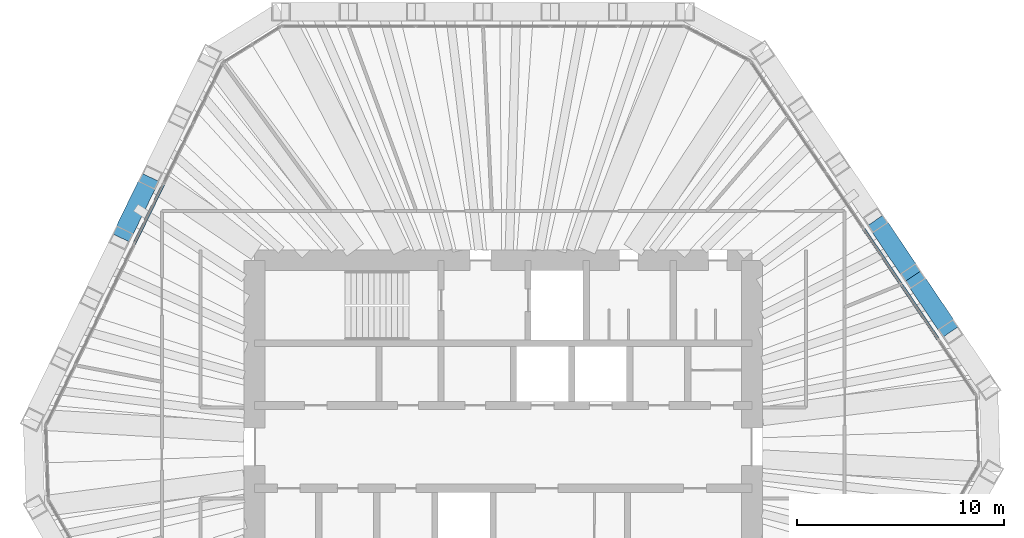
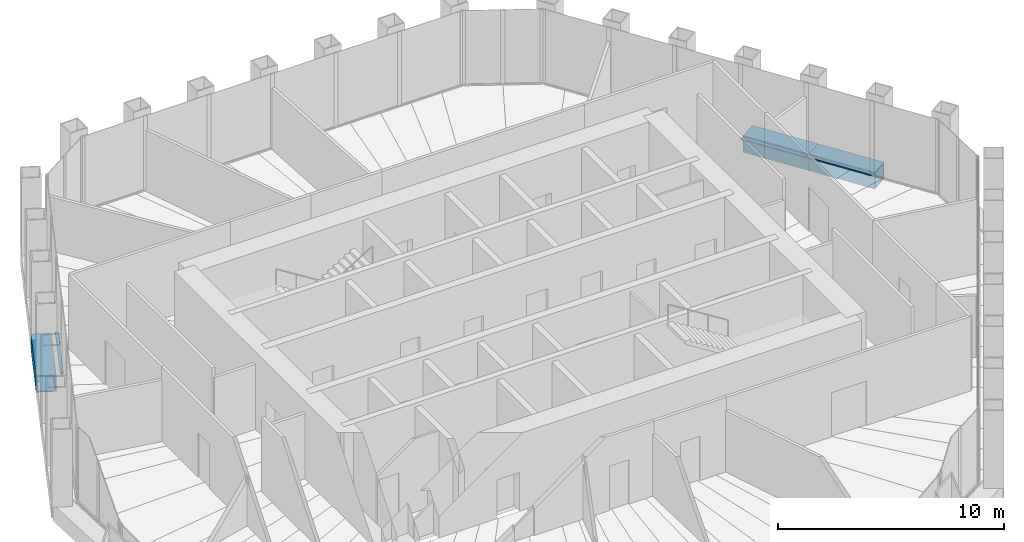
# One storey, part 6 of 14: 3 beams, 3 members, 2 elements without a shape of their own.
"""IFC4 building model written with IfcOpenShell, lengths in metres."""

from ifc_helpers import new_model, si_unit, direction, frame, origin, origin_2d, place, context, subcontext, project, spatial, rectangle, hollow_rectangle, extrude, material, material_profile, profile_set, type_object, element, aggregate, save


model = new_model("IFC4")

# Units and contexts
model_context = context("Model", 3, precision=1e-05, world=origin(), true_north=direction((0.0, 1.0)))
body_context = subcontext(model_context, "Body", "Model", "MODEL_VIEW")
ifc_project = project(units=[si_unit("LENGTHUNIT", "METRE"), si_unit("AREAUNIT", "SQUARE_METRE"), si_unit("VOLUMEUNIT", "CUBIC_METRE"), si_unit("PLANEANGLEUNIT", "RADIAN"), si_unit("MASSUNIT", "GRAM", prefix="KILO")], contexts=[model_context])

# Site, building, storey
site_placement = place(None, origin())
site = spatial("IfcSite", under=ifc_project, at=site_placement, CompositionType="ELEMENT")
building_placement = place(site_placement, origin())
building = spatial("IfcBuilding", under=site, at=building_placement, Name="Qingtian Harvest Tower", CompositionType="ELEMENT")
storey_placement = place(building_placement, frame((0.0, 0.0, 266.199951171875)))
storey = spatial("IfcBuildingStorey", under=building, at=storey_placement, Name="L58", CompositionType="ELEMENT", Elevation=266.199951171875)

# Beams
ifc_material_1 = material(Name="Steel SM570MC", Category="steel")
ifc_material_profile_1 = material_profile(ifc_material_1, hollow_rectangle(XDim=0.89990234375, YDim=0.89990234375, WallThickness=0.050048828125, at=origin_2d()), Name="BOX900x900x50")
ifc_profile_set_1 = profile_set([ifc_material_profile_1], Name="Steel SM570MC")
beam_type = type_object("IfcBeamType", Name="Transition spandrel SB6 BOX900x900x50", PredefinedType="SPANDREL", material=ifc_profile_set_1)
for number, where, z_axis, x_axis, name in (
    (1, (17.956787109375, 10.93212890625, -0.449951171875), (0.55915007887, -0.829066456504, 0.0), (0.829066456504, 0.55915007887, 0.0), "Spandrel SB6 NE3"),
    (2, (19.77294921875, 8.2392578125, -0.449951171875), (0.5592365864, -0.829008106372, 0.0), (0.829008106372, 0.5592365864, 0.0), "Spandrel SB6 NE4"),
    (3, (-18.44580078125, 10.0849609375, -0.449951171875), (0.438352548749, 0.898803116931, 0.0), (-0.898803116931, 0.438352548749, 0.0), "Spandrel SB6 NW3"),
):
    element("IfcBeam", number, at=place(storey_placement, frame(where, z_axis=z_axis, x_axis=x_axis)), inside=storey, type_object=beam_type, Name=name, PredefinedType="SPANDREL", context=body_context, shape_type="SweptSolid", body=[
        extrude(hollow_rectangle(XDim=0.89990234375, YDim=0.89990234375, WallThickness=0.050048828125, at=origin_2d()), origin(), (0.0, 0.0, 1.0), 3.248046875),
    ])

# Curtain wall, members
ifc_material_2 = material(Name="Bronze-anodised aluminium curtain wall", Category="aluminium")
curtain_wall_type = type_object("IfcCurtainWallType", Name="Curtain wall CW5 upper office", PredefinedType="USERDEFINED", material=ifc_material_2)
curtain_wall_1_placement = place(storey_placement, origin())
curtain_wall_1 = element("IfcCurtainWall", 4, at=curtain_wall_1_placement, inside=storey, type_object=curtain_wall_type, Name="Curtain wall CW5 L58 NE0-5", ObjectType="RECESSED CURTAIN WALL", PredefinedType="USERDEFINED")
ifc_material_3 = material(Name="Bronze-anodised aluminium transom", Category="aluminium")
ifc_material_profile_2 = material_profile(ifc_material_3, rectangle(XDim=0.14990234375, YDim=0.06494140625, at=origin_2d()), Name="AL 65x150")
ifc_profile_set_2 = profile_set([ifc_material_profile_2], Name="Bronze-anodised aluminium transom")
member_type = type_object("IfcMemberType", Name="Transom CWT 65x150", PredefinedType="USERDEFINED", material=ifc_profile_set_2)
member_1_placement = place(storey_placement, frame((17.39453125, 10.513671875, 0.032470703125), z_axis=(0.55920542009, -0.829029129852, 0.0), x_axis=(0.829029129852, 0.55920542009, 0.0)))
member_1 = element("IfcMember", 5, at=member_1_placement, type_object=member_type, Name="CW5 transom 4.1", ObjectType="TRANSOM", PredefinedType="USERDEFINED", context=body_context, shape_type="SweptSolid", body=[
    extrude(rectangle(XDim=0.14990234375, YDim=0.06494140625, at=origin_2d()), origin(), (0.0, 0.0, 1.0), 3.18310546875),
])
member_2_placement = place(storey_placement, frame((19.2109375, 7.821044921875, 0.032470703125), z_axis=(0.559152702955, -0.829064686727, 0.0), x_axis=(0.829064686727, 0.559152702955, 0.0)))
member_2 = element("IfcMember", 6, at=member_2_placement, type_object=member_type, Name="CW5 transom 5.1", ObjectType="TRANSOM", PredefinedType="USERDEFINED", context=body_context, shape_type="SweptSolid", body=[
    extrude(rectangle(XDim=0.14990234375, YDim=0.06494140625, at=origin_2d()), origin(), (0.0, 0.0, 1.0), 3.18310546875),
])
aggregate(curtain_wall_1, [member_1, member_2])

# Curtain wall, member
curtain_wall_2_placement = place(storey_placement, origin())
curtain_wall_2 = element("IfcCurtainWall", 7, at=curtain_wall_2_placement, inside=storey, type_object=curtain_wall_type, Name="Curtain wall CW5 L58 NW0-5", ObjectType="RECESSED CURTAIN WALL", PredefinedType="USERDEFINED")
member_3_placement = place(storey_placement, frame((-17.802490234375, 9.807373046875, 0.032470703125), z_axis=(0.438355626738, 0.898801615768, 0.0), x_axis=(-0.898801615768, 0.438355626738, 0.0)))
member_3 = element("IfcMember", 8, at=member_3_placement, type_object=member_type, Name="CW5 transom 4.1", ObjectType="TRANSOM", PredefinedType="USERDEFINED", context=body_context, shape_type="SweptSolid", body=[
    extrude(rectangle(XDim=0.14990234375, YDim=0.06494140625, at=origin_2d()), origin(), (0.0, 0.0, 1.0), 3.182861328125),
])
aggregate(curtain_wall_2, [member_3])

save(model, "model.ifc")
